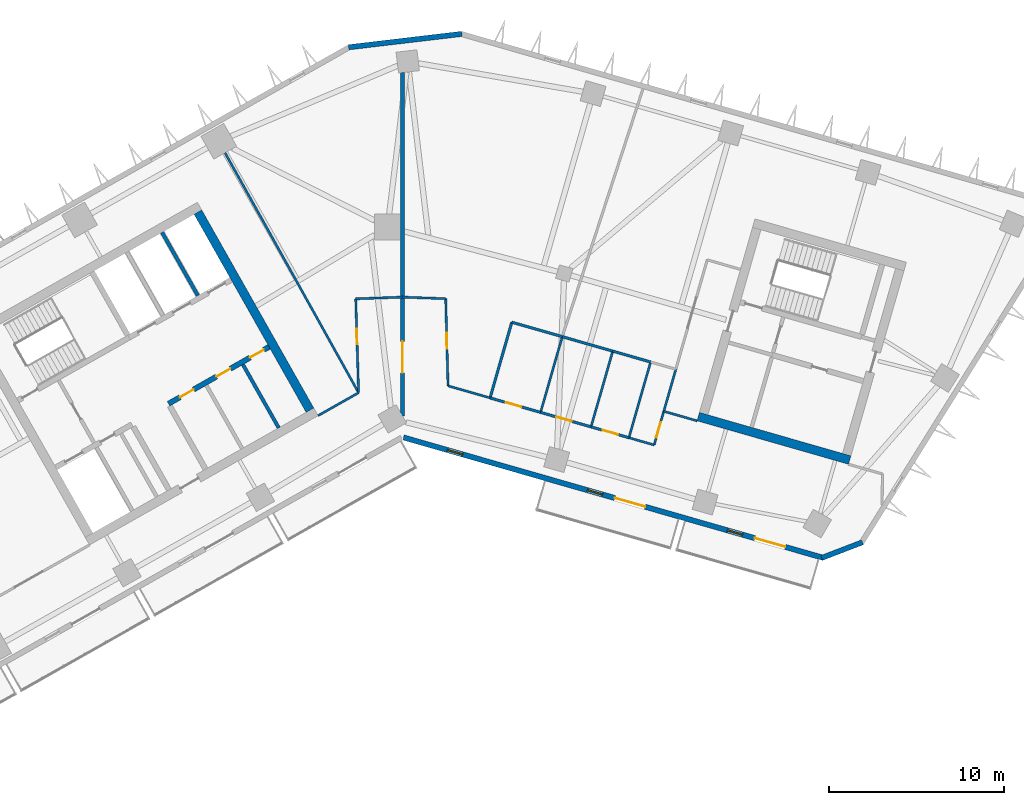
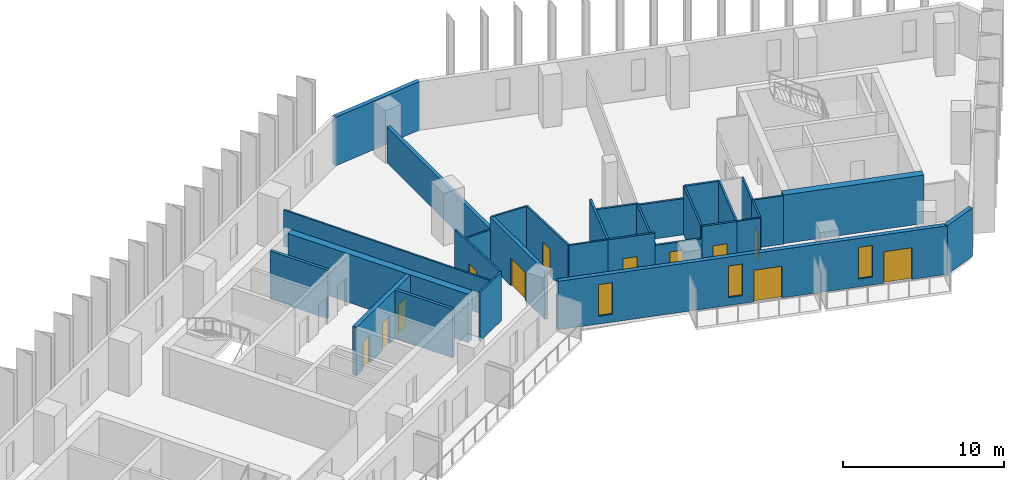
# One storey, part 5 of 10: 31 walls, 12 doors, 3 windows, 15 openings.
"""IFC4 building model written with IfcOpenShell, lengths in metres."""

from ifc_helpers import new_model, si_unit, direction, frame, frame_2d, origin, place, context, subcontext, project, spatial, rectangle, extrude, material, layer, layer_set, type_object, element, fill, save


model = new_model("IFC4")

# Units and contexts
model_context = context("Model", 3, precision=1e-05, world=origin(), true_north=direction((0.0, 1.0)))
body_context = subcontext(model_context, "Body", "Model", "MODEL_VIEW")
ifc_project = project(units=[si_unit("LENGTHUNIT", "METRE"), si_unit("AREAUNIT", "SQUARE_METRE"), si_unit("VOLUMEUNIT", "CUBIC_METRE"), si_unit("PLANEANGLEUNIT", "RADIAN"), si_unit("MASSUNIT", "GRAM", prefix="KILO")], contexts=[model_context])

# Site, building, storey
site_placement = place(None, origin())
site = spatial("IfcSite", under=ifc_project, at=site_placement, CompositionType="ELEMENT")
building_placement = place(site_placement, origin())
building = spatial("IfcBuilding", under=site, at=building_placement, Name="Binnacle Exchange Tower", CompositionType="ELEMENT")
storey_placement = place(building_placement, frame((0.0, 0.0, 194.89990234375)))
storey = spatial("IfcBuildingStorey", under=building, at=storey_placement, Name="L42", CompositionType="ELEMENT", Elevation=194.89990234375)

# Wall
ifc_material_1 = material(Name="Gypsum partition fire rated")
ifc_layer_1 = layer(ifc_material_1, 0.199951171875)
ifc_layer_set_1 = layer_set([ifc_layer_1], Name="Core partition 200")
wall_type_1 = type_object("IfcWallType", Name="Core partition 200", PredefinedType="PARTITIONING", material=ifc_layer_set_1)
wall_1_placement = place(storey_placement, frame((-9.11279296875, 52.14404296875, 0.0), z_axis=(0.0, 0.0, 1.0), x_axis=(0.492396453737, -0.870371031427, 0.0)))
element("IfcWall", 1, at=wall_1_placement, inside=storey, type_object=wall_type_1, Name="Core wall CRWC22", PredefinedType="PARTITIONING", context=body_context, shape_type="SweptSolid", body=[
    extrude(rectangle(XDim=4.14990234375, YDim=0.199951171875, at=frame_2d((2.074951171875, 0.0))), origin(), (0.0, 0.0, 1.0), 3.68017578125),
])

# Wall, openings, doors
ifc_material_2 = material(Name="Concrete C70/85", Category="concrete")
ifc_layer_2 = layer(ifc_material_2, 0.300048828125)
ifc_layer_set_2 = layer_set([ifc_layer_2], Name="Core wall - front 300")
wall_type_2 = type_object("IfcWallType", Name="Core wall - front 300", PredefinedType="SOLIDWALL", material=ifc_layer_set_2)
wall_2_placement = place(storey_placement, frame((-13.364501953125, 49.910888671875, 0.0), z_axis=(0.0, 0.0, 1.0), x_axis=(0.870356769198, 0.492421663121, 0.0)))
wall_2 = element("IfcWall", 2, at=wall_2_placement, inside=storey, type_object=wall_type_2, Name="Core wall CRWC3", PredefinedType="SOLIDWALL", context=body_context, shape_type="SweptSolid", body=[
    extrude(rectangle(XDim=6.60009765625, YDim=0.300048828125, at=frame_2d((3.300048828125, 0.0))), origin(), (0.0, 0.0, 1.0), 3.68017578125),
])
opening_1_placement = place(wall_2_placement, frame((0.75, 0.0, 0.0)))
opening_1 = element("IfcOpeningElement", 3, at=opening_1_placement, cuts=wall_2, Name="Opening DC18", PredefinedType="OPENING", context=body_context, shape_type="SweptSolid", body=[
    extrude(rectangle(XDim=0.89990234375, YDim=2.10009765625, at=frame_2d((0.449951171875, 1.050048828125))), frame((0.0, 0.159912109375, 0.0), z_axis=(0.0, -1.0, 0.0), x_axis=(1.0, 0.0, 0.0)), (0.0, 0.0, 1.0), 0.320068359375),
])
opening_2_placement = place(wall_2_placement, frame((3.14990234375, 0.0, 0.0)))
opening_2 = element("IfcOpeningElement", 4, at=opening_2_placement, cuts=wall_2, Name="Opening DC19", PredefinedType="OPENING", context=body_context, shape_type="SweptSolid", body=[
    extrude(rectangle(XDim=0.89990234375, YDim=2.10009765625, at=frame_2d((0.449951171875, 1.050048828125))), frame((0.0, 0.159912109375, 0.0), z_axis=(0.0, -1.0, 0.0), x_axis=(1.0, 0.0, 0.0)), (0.0, 0.0, 1.0), 0.320068359375),
])
opening_3_placement = place(wall_2_placement, frame((5.35009765625, 0.0, 0.0)))
opening_3 = element("IfcOpeningElement", 5, at=opening_3_placement, cuts=wall_2, Name="Opening DC20", PredefinedType="OPENING", context=body_context, shape_type="SweptSolid", body=[
    extrude(rectangle(XDim=0.89990234375, YDim=2.10009765625, at=frame_2d((0.449951171875, 1.050048828125))), frame((0.0, 0.159912109375, 0.0), z_axis=(0.0, -1.0, 0.0), x_axis=(1.0, 0.0, 0.0)), (0.0, 0.0, 1.0), 0.320068359375),
])
ifc_material_3 = material(Name="Steel door leaf", Category="steel")
door_type_1 = type_object("IfcDoorType", Name="Fire door 900", OperationType="NOTDEFINED", PredefinedType="DOOR", material=ifc_material_3)
door_1_placement = place(opening_1_placement, frame((0.89990234375, 0.0, 0.0), z_axis=(0.0, 0.0, 1.0), x_axis=(-1.0, 0.0, 0.0)))
door_1 = element("IfcDoor", 6, at=door_1_placement, inside=storey, type_object=door_type_1, Name="Core room door FIBRE ENTRY ROOM", OperationType="SINGLE_SWING_RIGHT", OverallHeight=2.10009765625, OverallWidth=0.89990234375, PredefinedType="DOOR", context=body_context, shape_type="SweptSolid", body=[
    extrude(rectangle(XDim=0.89990234375, YDim=2.10009765625, at=frame_2d((0.449951171875, 1.050048828125))), frame((0.0, 0.02490234375, 0.0), z_axis=(0.0, -1.0, 0.0), x_axis=(1.0, 0.0, 0.0)), (0.0, 0.0, 1.0), 0.050048828125),
])
fill(opening_1, door_1)
door_2_placement = place(opening_2_placement, frame((0.89990234375, 0.0, 0.0), z_axis=(0.0, 0.0, 1.0), x_axis=(-1.0, 0.0, 0.0)))
door_2 = element("IfcDoor", 7, at=door_2_placement, inside=storey, type_object=door_type_1, Name="Core room door ELECTRICAL ROOM", OperationType="SINGLE_SWING_LEFT", OverallHeight=2.10009765625, OverallWidth=0.89990234375, PredefinedType="DOOR", context=body_context, shape_type="SweptSolid", body=[
    extrude(rectangle(XDim=0.89990234375, YDim=2.10009765625, at=frame_2d((0.449951171875, 1.050048828125))), frame((0.0, 0.02490234375, 0.0), z_axis=(0.0, -1.0, 0.0), x_axis=(1.0, 0.0, 0.0)), (0.0, 0.0, 1.0), 0.050048828125),
])
fill(opening_2, door_2)
door_3_placement = place(opening_3_placement, frame((0.89990234375, 0.0, 0.0), z_axis=(0.0, 0.0, 1.0), x_axis=(-1.0, 0.0, 0.0)))
door_3 = element("IfcDoor", 8, at=door_3_placement, inside=storey, type_object=door_type_1, Name="Core room door COMMS RISER ROOM", OperationType="SINGLE_SWING_LEFT", OverallHeight=2.10009765625, OverallWidth=0.89990234375, PredefinedType="DOOR", context=body_context, shape_type="SweptSolid", body=[
    extrude(rectangle(XDim=0.89990234375, YDim=2.10009765625, at=frame_2d((0.449951171875, 1.050048828125))), frame((0.0, 0.02490234375, 0.0), z_axis=(0.0, -1.0, 0.0), x_axis=(1.0, 0.0, 0.0)), (0.0, 0.0, 1.0), 0.050048828125),
])
fill(opening_3, door_3)

# Walls
ifc_layer_3 = layer(ifc_material_2, 0.5)
ifc_layer_set_3 = layer_set([ifc_layer_3], Name="Core wall - outer 500")
wall_type_3 = type_object("IfcWallType", Name="Core wall - outer 500", PredefinedType="SOLIDWALL", material=ifc_layer_set_3)
wall_3_placement = place(storey_placement, frame((-11.686767578125, 60.856201171875, 0.0), z_axis=(0.0, 0.0, 1.0), x_axis=(0.492427267353, -0.870353598469, 0.0)))
element("IfcWall", 9, at=wall_3_placement, inside=storey, type_object=wall_type_3, Name="Core wall CRWC24", PredefinedType="SOLIDWALL", context=body_context, shape_type="SweptSolid", body=[
    extrude(rectangle(XDim=13.0, YDim=0.5, at=frame_2d((6.5, 0.0))), origin(), (0.0, 0.0, 1.0), 3.68017578125),
])
wall_4_placement = place(storey_placement, frame((16.896728515625, 49.173095703125, 0.0), z_axis=(0.0, 0.0, 1.0), x_axis=(0.96126248289, -0.275634611374, 0.0)))
element("IfcWall", 10, at=wall_4_placement, inside=storey, type_object=wall_type_3, Name="Core wall CRWD1", PredefinedType="SOLIDWALL", context=body_context, shape_type="SweptSolid", body=[
    extrude(rectangle(XDim=9.0, YDim=0.5, at=frame_2d((4.5, 0.0))), origin(), (0.0, 0.0, 1.0), 3.68017578125),
])

# Wall, openings, doors, windows
ifc_material_4 = material(Name="Bronze aluminium cladding", Category="aluminium")
ifc_layer_4 = layer(ifc_material_4, 0.300048828125)
ifc_layer_set_4 = layer_set([ifc_layer_4], Name="External wall - spandrel 300")
wall_type_4 = type_object("IfcWallType", Name="External wall - spandrel 300", PredefinedType="STANDARD", material=ifc_layer_set_4)
wall_5_placement = place(storey_placement, frame((24.04248046875, 41.10595703125, 0.0), z_axis=(0.0, 0.0, 1.0), x_axis=(-0.961261693976, 0.275637362661, 0.0)))
wall_5 = element("IfcWall", 11, at=wall_5_placement, inside=storey, type_object=wall_type_4, Name="External wall EW-G02 L42", PredefinedType="STANDARD", context=body_context, shape_type="SweptSolid", body=[
    extrude(rectangle(XDim=24.948486328125, YDim=0.300048828125, at=frame_2d((12.47412109375, 0.0))), origin(), (0.0, 0.0, 1.0), 3.68017578125),
])
opening_4_placement = place(wall_5_placement, frame((21.441162109375, 0.0, 0.60009765625)))
opening_4 = element("IfcOpeningElement", 12, at=opening_4_placement, cuts=wall_5, Name="Opening WS3", PredefinedType="OPENING", context=body_context, shape_type="SweptSolid", body=[
    extrude(rectangle(XDim=0.89990234375, YDim=2.39990234375, at=frame_2d((0.449951171875, 1.199951171875))), frame((0.0, 0.159912109375, 0.0), z_axis=(0.0, -1.0, 0.0), x_axis=(1.0, 0.0, 0.0)), (0.0, 0.0, 1.0), 0.320068359375),
])
opening_5_placement = place(wall_5_placement, frame((13.120849609375, 0.0, 0.60009765625)))
opening_5 = element("IfcOpeningElement", 13, at=opening_5_placement, cuts=wall_5, Name="Opening WS3", PredefinedType="OPENING", context=body_context, shape_type="SweptSolid", body=[
    extrude(rectangle(XDim=0.89990234375, YDim=2.39990234375, at=frame_2d((0.449951171875, 1.199951171875))), frame((0.0, 0.159912109375, 0.0), z_axis=(0.0, -1.0, 0.0), x_axis=(1.0, 0.0, 0.0)), (0.0, 0.0, 1.0), 0.320068359375),
])
opening_6_placement = place(wall_5_placement, frame((10.5908203125, 0.0, 0.0)))
opening_6 = element("IfcOpeningElement", 14, at=opening_6_placement, cuts=wall_5, Name="Opening D-FS11-06", PredefinedType="OPENING", context=body_context, shape_type="SweptSolid", body=[
    extrude(rectangle(XDim=1.800048828125, YDim=2.39990234375, at=frame_2d((0.89990234375, 1.199951171875))), frame((0.0, 0.159912109375, 0.0), z_axis=(0.0, -1.0, 0.0), x_axis=(1.0, 0.0, 0.0)), (0.0, 0.0, 1.0), 0.320068359375),
])
opening_7_placement = place(wall_5_placement, frame((4.80029296875, 0.0, 0.60009765625)))
opening_7 = element("IfcOpeningElement", 15, at=opening_7_placement, cuts=wall_5, Name="Opening WS3", PredefinedType="OPENING", context=body_context, shape_type="SweptSolid", body=[
    extrude(rectangle(XDim=0.89990234375, YDim=2.39990234375, at=frame_2d((0.449951171875, 1.199951171875))), frame((0.0, 0.159912109375, 0.0), z_axis=(0.0, -1.0, 0.0), x_axis=(1.0, 0.0, 0.0)), (0.0, 0.0, 1.0), 0.320068359375),
])
opening_8_placement = place(wall_5_placement, frame((2.270263671875, 0.0, 0.0)))
opening_8 = element("IfcOpeningElement", 16, at=opening_8_placement, cuts=wall_5, Name="Opening D-FS11-07", PredefinedType="OPENING", context=body_context, shape_type="SweptSolid", body=[
    extrude(rectangle(XDim=1.800048828125, YDim=2.39990234375, at=frame_2d((0.89990234375, 1.199951171875))), frame((0.0, 0.159912109375, 0.0), z_axis=(0.0, -1.0, 0.0), x_axis=(1.0, 0.0, 0.0)), (0.0, 0.0, 1.0), 0.320068359375),
])
ifc_material_5 = material(Name="Bronze anodised aluminium frame", Category="aluminium")
door_type_2 = type_object("IfcDoorType", Name="DB DOOR 1800x2400", OperationType="DOUBLE_DOOR_SINGLE_SWING", PredefinedType="DOOR", material=ifc_material_5)
door_4_placement = place(opening_6_placement, origin())
door_4 = element("IfcDoor", 17, at=door_4_placement, inside=storey, type_object=door_type_2, Name="Door D-FS11-06 L42", OperationType="DOUBLE_DOOR_SINGLE_SWING", OverallHeight=2.39990234375, OverallWidth=1.800048828125, PredefinedType="DOOR", context=body_context, shape_type="SweptSolid", body=[
    extrude(rectangle(XDim=1.800048828125, YDim=2.39990234375, at=frame_2d((0.89990234375, 1.199951171875))), frame((0.0, 0.02490234375, 0.0), z_axis=(0.0, -1.0, 0.0), x_axis=(1.0, 0.0, 0.0)), (0.0, 0.0, 1.0), 0.050048828125),
])
fill(opening_6, door_4)
door_5_placement = place(opening_8_placement, origin())
door_5 = element("IfcDoor", 18, at=door_5_placement, inside=storey, type_object=door_type_2, Name="Door D-FS11-07 L42", OperationType="DOUBLE_DOOR_SINGLE_SWING", OverallHeight=2.39990234375, OverallWidth=1.800048828125, PredefinedType="DOOR", context=body_context, shape_type="SweptSolid", body=[
    extrude(rectangle(XDim=1.800048828125, YDim=2.39990234375, at=frame_2d((0.89990234375, 1.199951171875))), frame((0.0, 0.02490234375, 0.0), z_axis=(0.0, -1.0, 0.0), x_axis=(1.0, 0.0, 0.0)), (0.0, 0.0, 1.0), 0.050048828125),
])
fill(opening_8, door_5)
window_type = type_object("IfcWindowType", Name="WS3 WINDOW 900x2400", PartitioningType="SINGLE_PANEL", PredefinedType="WINDOW", material=ifc_material_5)
window_1_placement = place(opening_4_placement, origin())
window_1 = element("IfcWindow", 19, at=window_1_placement, inside=storey, type_object=window_type, Name="Window WS3 L42", OverallHeight=2.39990234375, OverallWidth=0.89990234375, PartitioningType="SINGLE_PANEL", PredefinedType="WINDOW", context=body_context, shape_type="SweptSolid", body=[
    extrude(rectangle(XDim=0.89990234375, YDim=2.39990234375, at=frame_2d((0.449951171875, 1.199951171875))), frame((0.0, 0.030029296875, 0.0), z_axis=(0.0, -1.0, 0.0), x_axis=(1.0, 0.0, 0.0)), (0.0, 0.0, 1.0), 0.06005859375),
])
fill(opening_4, window_1)
window_2_placement = place(opening_5_placement, origin())
window_2 = element("IfcWindow", 20, at=window_2_placement, inside=storey, type_object=window_type, Name="Window WS3 L42", OverallHeight=2.39990234375, OverallWidth=0.89990234375, PartitioningType="SINGLE_PANEL", PredefinedType="WINDOW", context=body_context, shape_type="SweptSolid", body=[
    extrude(rectangle(XDim=0.89990234375, YDim=2.39990234375, at=frame_2d((0.449951171875, 1.199951171875))), frame((0.0, 0.030029296875, 0.0), z_axis=(0.0, -1.0, 0.0), x_axis=(1.0, 0.0, 0.0)), (0.0, 0.0, 1.0), 0.06005859375),
])
fill(opening_5, window_2)
window_3_placement = place(opening_7_placement, origin())
window_3 = element("IfcWindow", 21, at=window_3_placement, inside=storey, type_object=window_type, Name="Window WS3 L42", OverallHeight=2.39990234375, OverallWidth=0.89990234375, PartitioningType="SINGLE_PANEL", PredefinedType="WINDOW", context=body_context, shape_type="SweptSolid", body=[
    extrude(rectangle(XDim=0.89990234375, YDim=2.39990234375, at=frame_2d((0.449951171875, 1.199951171875))), frame((0.0, 0.030029296875, 0.0), z_axis=(0.0, -1.0, 0.0), x_axis=(1.0, 0.0, 0.0)), (0.0, 0.0, 1.0), 0.06005859375),
])
fill(opening_7, window_3)

# Walls
wall_6_placement = place(storey_placement, frame((26.27783203125, 41.996337890625, 0.0), z_axis=(0.0, 0.0, 1.0), x_axis=(-0.933592404159, -0.358336745112, 0.0)))
element("IfcWall", 22, at=wall_6_placement, inside=storey, type_object=wall_type_4, Name="External wall EW-G03 L42", PredefinedType="STANDARD", context=body_context, shape_type="SweptSolid", body=[
    extrude(rectangle(XDim=2.496337890625, YDim=0.300048828125, at=frame_2d((1.248046875, 0.0))), origin(), (0.0, 0.0, 1.0), 3.68017578125),
])
wall_7_placement = place(storey_placement, frame((-3.076171875, 70.27294921875, 0.0), z_axis=(0.0, 0.0, 1.0), x_axis=(0.993067743007, 0.117543429416, 0.0)))
element("IfcWall", 23, at=wall_7_placement, inside=storey, type_object=wall_type_4, Name="External wall EW-G07 L42", PredefinedType="STANDARD", context=body_context, shape_type="SweptSolid", body=[
    extrude(rectangle(XDim=6.515625, YDim=0.300048828125, at=frame_2d((3.2578125, 0.0))), origin(), (0.0, 0.0, 1.0), 3.68017578125),
])

# Wall, opening, door
ifc_material_6 = material(Name="Concrete fire wall C30/37", Category="concrete")
ifc_layer_5 = layer(ifc_material_6, 0.25)
ifc_layer_set_5 = layer_set([ifc_layer_5], Name="Fire wall - compartment 250")
wall_type_5 = type_object("IfcWallType", Name="Fire wall - compartment 250", PredefinedType="PARTITIONING", material=ifc_layer_set_5)
wall_8_placement = place(storey_placement, frame((0.0, 49.218994140625, 0.0), z_axis=(0.0, 0.0, 1.0), x_axis=(0.0, 1.0, 0.0)))
wall_8 = element("IfcWall", 24, at=wall_8_placement, inside=storey, type_object=wall_type_5, Name="Fire Wall W08", PredefinedType="PARTITIONING", context=body_context, shape_type="SweptSolid", body=[
    extrude(rectangle(XDim=6.781005859375, YDim=0.25, at=frame_2d((3.390625, 0.0))), origin(), (0.0, 0.0, 1.0), 3.68017578125),
])
opening_9_placement = place(wall_8_placement, frame((2.449951171875, 0.0, 0.0)))
opening_9 = element("IfcOpeningElement", 25, at=opening_9_placement, cuts=wall_8, Name="Opening DL41-09", PredefinedType="OPENING", context=body_context, shape_type="SweptSolid", body=[
    extrude(rectangle(XDim=1.800048828125, YDim=2.10009765625, at=frame_2d((0.89990234375, 1.050048828125))), frame((0.0, 0.135009765625, 0.0), z_axis=(0.0, -1.0, 0.0), x_axis=(1.0, 0.0, 0.0)), (0.0, 0.0, 1.0), 0.27001953125),
])
door_type_3 = type_object("IfcDoorType", Name="Fire door 1800", OperationType="NOTDEFINED", PredefinedType="DOOR", material=ifc_material_3)
door_6_placement = place(opening_9_placement, origin())
door_6 = element("IfcDoor", 26, at=door_6_placement, inside=storey, type_object=door_type_3, Name="Door DL41-09", OperationType="DOUBLE_DOOR_SINGLE_SWING", OverallHeight=2.10009765625, OverallWidth=1.800048828125, PredefinedType="DOOR", context=body_context, shape_type="SweptSolid", body=[
    extrude(rectangle(XDim=1.800048828125, YDim=2.10009765625, at=frame_2d((0.89990234375, 1.050048828125))), frame((0.0, 0.02490234375, 0.0), z_axis=(0.0, -1.0, 0.0), x_axis=(1.0, 0.0, 0.0)), (0.0, 0.0, 1.0), 0.050048828125),
])
fill(opening_9, door_6)

# Walls
wall_9_placement = place(storey_placement, frame((0.0, 56.0, 0.0), z_axis=(0.0, 0.0, 1.0), x_axis=(0.0, 1.0, 0.0)))
element("IfcWall", 27, at=wall_9_placement, inside=storey, type_object=wall_type_5, Name="Fire Wall W09", PredefinedType="PARTITIONING", context=body_context, shape_type="SweptSolid", body=[
    extrude(rectangle(XDim=12.823974609375, YDim=0.25, at=frame_2d((6.412109375, 0.0))), origin(), (0.0, 0.0, 1.0), 2.748046875),
])
ifc_layer_6 = layer(ifc_material_1, 0.14990234375)
ifc_layer_set_6 = layer_set([ifc_layer_6], Name="Fire-rated partition 150")
wall_type_6 = type_object("IfcWallType", Name="Fire-rated partition 150", PredefinedType="PARTITIONING", material=ifc_layer_set_6)
wall_10_placement = place(storey_placement, frame((5.00390625, 50.242919921875, 0.0), z_axis=(0.0, 0.0, 1.0), x_axis=(0.275838825927, 0.961203902464, 0.0)))
element("IfcWall", 28, at=wall_10_placement, inside=storey, type_object=wall_type_6, Name="Partition W13", PredefinedType="PARTITIONING", context=body_context, shape_type="SweptSolid", body=[
    extrude(rectangle(XDim=4.499755859375, YDim=0.14990234375, at=frame_2d((2.25, 0.0))), origin(), (0.0, 0.0, 1.0), 3.68017578125),
])

# Wall, opening, door
wall_11_placement = place(storey_placement, frame((5.00390625, 50.242919921875, 0.0), z_axis=(0.0, 0.0, 1.0), x_axis=(0.961268664977, -0.27561305073, 0.0)))
wall_11 = element("IfcWall", 29, at=wall_11_placement, inside=storey, type_object=wall_type_6, Name="Partition W14", PredefinedType="PARTITIONING", context=body_context, shape_type="SweptSolid", body=[
    extrude(rectangle(XDim=3.000244140625, YDim=0.14990234375, at=frame_2d((1.5, 0.0))), origin(), (0.0, 0.0, 1.0), 3.68017578125),
])
opening_10_placement = place(wall_11_placement, frame((0.949951171875, 0.0, 0.0)))
opening_10 = element("IfcOpeningElement", 30, at=opening_10_placement, cuts=wall_11, Name="Opening DL41-03", PredefinedType="OPENING", context=body_context, shape_type="SweptSolid", body=[
    extrude(rectangle(XDim=0.89990234375, YDim=2.10009765625, at=frame_2d((0.449951171875, 1.050048828125))), frame((0.0, 0.0849609375, 0.0), z_axis=(0.0, -1.0, 0.0), x_axis=(1.0, 0.0, 0.0)), (0.0, 0.0, 1.0), 0.169921875),
])
door_7_placement = place(opening_10_placement, origin())
door_7 = element("IfcDoor", 31, at=door_7_placement, inside=storey, type_object=door_type_1, Name="Door DL41-03", OperationType="SINGLE_SWING_LEFT", OverallHeight=2.10009765625, OverallWidth=0.89990234375, PredefinedType="DOOR", context=body_context, shape_type="SweptSolid", body=[
    extrude(rectangle(XDim=0.89990234375, YDim=2.10009765625, at=frame_2d((0.449951171875, 1.050048828125))), frame((0.0, 0.02490234375, 0.0), z_axis=(0.0, -1.0, 0.0), x_axis=(1.0, 0.0, 0.0)), (0.0, 0.0, 1.0), 0.050048828125),
])
fill(opening_10, door_7)

# Wall
wall_12_placement = place(storey_placement, frame((6.2451171875, 54.568115234375, 0.0), z_axis=(0.0, 0.0, 1.0), x_axis=(0.961240918172, -0.275709806194, 0.0)))
element("IfcWall", 32, at=wall_12_placement, inside=storey, type_object=wall_type_6, Name="Partition W15", PredefinedType="PARTITIONING", context=body_context, shape_type="SweptSolid", body=[
    extrude(rectangle(XDim=3.0, YDim=0.14990234375, at=frame_2d((1.5, 0.0))), origin(), (0.0, 0.0, 1.0), 2.85205078125),
])

# Wall, opening, door
wall_13_placement = place(storey_placement, frame((7.887939453125, 49.416015625, 0.0), z_axis=(0.0, 0.0, 1.0), x_axis=(0.961268664977, -0.27561305073, 0.0)))
wall_13 = element("IfcWall", 33, at=wall_13_placement, inside=storey, type_object=wall_type_6, Name="Partition W17", PredefinedType="PARTITIONING", context=body_context, shape_type="SweptSolid", body=[
    extrude(rectangle(XDim=3.000244140625, YDim=0.14990234375, at=frame_2d((1.5, 0.0))), origin(), (0.0, 0.0, 1.0), 2.748046875),
])
opening_11_placement = place(wall_13_placement, frame((0.949951171875, 0.0, 0.0)))
opening_11 = element("IfcOpeningElement", 34, at=opening_11_placement, cuts=wall_13, Name="Opening DL41-04", PredefinedType="OPENING", context=body_context, shape_type="SweptSolid", body=[
    extrude(rectangle(XDim=0.89990234375, YDim=2.10009765625, at=frame_2d((0.449951171875, 1.050048828125))), frame((0.0, 0.0849609375, 0.0), z_axis=(0.0, -1.0, 0.0), x_axis=(1.0, 0.0, 0.0)), (0.0, 0.0, 1.0), 0.169921875),
])
door_8_placement = place(opening_11_placement, origin())
door_8 = element("IfcDoor", 35, at=door_8_placement, inside=storey, type_object=door_type_1, Name="Door DL41-04", OperationType="SINGLE_SWING_LEFT", OverallHeight=2.10009765625, OverallWidth=0.89990234375, PredefinedType="DOOR", context=body_context, shape_type="SweptSolid", body=[
    extrude(rectangle(XDim=0.89990234375, YDim=2.10009765625, at=frame_2d((0.449951171875, 1.050048828125))), frame((0.0, 0.02490234375, 0.0), z_axis=(0.0, -1.0, 0.0), x_axis=(1.0, 0.0, 0.0)), (0.0, 0.0, 1.0), 0.050048828125),
])
fill(opening_11, door_8)

# Wall
wall_14_placement = place(storey_placement, frame((9.12890625, 53.740966796875, 0.0), z_axis=(0.0, 0.0, 1.0), x_axis=(0.961243927922, -0.275699312717, 0.0)))
element("IfcWall", 36, at=wall_14_placement, inside=storey, type_object=wall_type_6, Name="Partition W18", PredefinedType="PARTITIONING", context=body_context, shape_type="SweptSolid", body=[
    extrude(rectangle(XDim=2.999267578125, YDim=0.14990234375, at=frame_2d((1.49951171875, 0.0))), origin(), (0.0, 0.0, 1.0), 2.748046875),
])

# Wall, opening, door
wall_15_placement = place(storey_placement, frame((10.77197265625, 48.589111328125, 0.0), z_axis=(0.0, 0.0, 1.0), x_axis=(0.96127791106, -0.275580800688, 0.0)))
wall_15 = element("IfcWall", 37, at=wall_15_placement, inside=storey, type_object=wall_type_6, Name="Partition W21", PredefinedType="PARTITIONING", context=body_context, shape_type="SweptSolid", body=[
    extrude(rectangle(XDim=2.250244140625, YDim=0.14990234375, at=frame_2d((1.125, 0.0))), origin(), (0.0, 0.0, 1.0), 3.68017578125),
])
opening_12_placement = place(wall_15_placement, frame((0.699951171875, 0.0, 0.0)))
opening_12 = element("IfcOpeningElement", 38, at=opening_12_placement, cuts=wall_15, Name="Opening DL41-05", PredefinedType="OPENING", context=body_context, shape_type="SweptSolid", body=[
    extrude(rectangle(XDim=0.89990234375, YDim=2.10009765625, at=frame_2d((0.449951171875, 1.050048828125))), frame((0.0, 0.0849609375, 0.0), z_axis=(0.0, -1.0, 0.0), x_axis=(1.0, 0.0, 0.0)), (0.0, 0.0, 1.0), 0.169921875),
])
door_9_placement = place(opening_12_placement, origin())
door_9 = element("IfcDoor", 39, at=door_9_placement, inside=storey, type_object=door_type_1, Name="Door DL41-05", OperationType="SINGLE_SWING_RIGHT", OverallHeight=2.10009765625, OverallWidth=0.89990234375, PredefinedType="DOOR", context=body_context, shape_type="SweptSolid", body=[
    extrude(rectangle(XDim=0.89990234375, YDim=2.10009765625, at=frame_2d((0.449951171875, 1.050048828125))), frame((0.0, 0.02490234375, 0.0), z_axis=(0.0, -1.0, 0.0), x_axis=(1.0, 0.0, 0.0)), (0.0, 0.0, 1.0), 0.050048828125),
])
fill(opening_12, door_9)

# Walls
wall_16_placement = place(storey_placement, frame((12.011962890625, 52.9140625, 0.0), z_axis=(0.0, 0.0, 1.0), x_axis=(0.96127791106, -0.275580800688, 0.0)))
element("IfcWall", 40, at=wall_16_placement, inside=storey, type_object=wall_type_6, Name="Partition W22", PredefinedType="PARTITIONING", context=body_context, shape_type="SweptSolid", body=[
    extrude(rectangle(XDim=2.250244140625, YDim=0.14990234375, at=frame_2d((1.125, 0.0))), origin(), (0.0, 0.0, 1.0), 3.68017578125),
])
ifc_material_7 = material(Name="Gypsum partition")
ifc_layer_7 = layer(ifc_material_7, 0.125)
ifc_layer_set_7 = layer_set([ifc_layer_7], Name="Partition 125")
wall_type_7 = type_object("IfcWallType", Name="Partition 125", PredefinedType="PARTITIONING", material=ifc_layer_set_7)
wall_17_placement = place(storey_placement, frame((-10.136962890625, 64.242919921875, 0.0), z_axis=(0.0, 0.0, 1.0), x_axis=(0.486452862603, -0.873706822948, 0.0)))
element("IfcWall", 41, at=wall_17_placement, inside=storey, type_object=wall_type_7, Name="Partition W04", PredefinedType="PARTITIONING", context=body_context, shape_type="SweptSolid", body=[
    extrude(rectangle(XDim=15.684814453125, YDim=0.125, at=frame_2d((7.84228515625, 0.0))), origin(), (0.0, 0.0, 1.0), 2.748046875),
])
wall_18_placement = place(storey_placement, frame((-4.821044921875, 49.22998046875, 0.0), z_axis=(0.0, 0.0, 1.0), x_axis=(0.870371217631, 0.492396124598, 0.0)))
element("IfcWall", 42, at=wall_18_placement, inside=storey, type_object=wall_type_7, Name="Partition W05", PredefinedType="PARTITIONING", context=body_context, shape_type="SweptSolid", body=[
    extrude(rectangle(XDim=2.65869140625, YDim=0.125, at=frame_2d((1.329345703125, 0.0))), origin(), (0.0, 0.0, 1.0), 3.68017578125),
])

# Wall, opening, door
wall_19_placement = place(storey_placement, frame((-2.669921875, 55.904052734375, 0.0), z_axis=(0.0, 0.0, 1.0), x_axis=(0.030338701418, -0.999539675649, 0.0)))
wall_19 = element("IfcWall", 43, at=wall_19_placement, inside=storey, type_object=wall_type_7, Name="Partition W06", PredefinedType="PARTITIONING", context=body_context, shape_type="SweptSolid", body=[
    extrude(rectangle(XDim=5.367431640625, YDim=0.125, at=frame_2d((2.68359375, 0.0))), origin(), (0.0, 0.0, 1.0), 3.68017578125),
])
opening_13_placement = place(wall_19_placement, frame((1.699951171875, 0.0, 0.0)))
opening_13 = element("IfcOpeningElement", 44, at=opening_13_placement, cuts=wall_19, Name="Opening DL41-02", PredefinedType="OPENING", context=body_context, shape_type="SweptSolid", body=[
    extrude(rectangle(XDim=0.89990234375, YDim=2.10009765625, at=frame_2d((0.449951171875, 1.050048828125))), frame((0.0, 0.072509765625, 0.0), z_axis=(0.0, -1.0, 0.0), x_axis=(1.0, 0.0, 0.0)), (0.0, 0.0, 1.0), 0.14501953125),
])
ifc_material_8 = material(Name="Timber door leaf", Category="wood")
door_type_4 = type_object("IfcDoorType", Name="Door 900", OperationType="NOTDEFINED", PredefinedType="DOOR", material=ifc_material_8)
door_10_placement = place(opening_13_placement, frame((0.89990234375, 0.0, 0.0), z_axis=(0.0, 0.0, 1.0), x_axis=(-1.0, 0.0, 0.0)))
door_10 = element("IfcDoor", 45, at=door_10_placement, inside=storey, type_object=door_type_4, Name="Door DL41-02", OperationType="SINGLE_SWING_RIGHT", OverallHeight=2.10009765625, OverallWidth=0.89990234375, PredefinedType="DOOR", context=body_context, shape_type="SweptSolid", body=[
    extrude(rectangle(XDim=0.89990234375, YDim=2.10009765625, at=frame_2d((0.449951171875, 1.050048828125))), frame((0.0, 0.02490234375, 0.0), z_axis=(0.0, -1.0, 0.0), x_axis=(1.0, 0.0, 0.0)), (0.0, 0.0, 1.0), 0.050048828125),
])
fill(opening_13, door_10)

# Walls
wall_20_placement = place(storey_placement, frame((-2.669921875, 55.904052734375, 0.0), z_axis=(0.0, 0.0, 1.0), x_axis=(0.999354913865, 0.03591317494, 0.0)))
element("IfcWall", 46, at=wall_20_placement, inside=storey, type_object=wall_type_7, Name="Partition W07", PredefinedType="PARTITIONING", context=body_context, shape_type="SweptSolid", body=[
    extrude(rectangle(XDim=2.671630859375, YDim=0.125, at=frame_2d((1.3359375, 0.0))), origin(), (0.0, 0.0, 1.0), 2.748046875),
])
wall_21_placement = place(storey_placement, frame((0.0, 56.0, 0.0), z_axis=(0.0, 0.0, 1.0), x_axis=(0.999349313684, -0.036068673934, 0.0)))
element("IfcWall", 47, at=wall_21_placement, inside=storey, type_object=wall_type_7, Name="Partition W10", PredefinedType="PARTITIONING", context=body_context, shape_type="SweptSolid", body=[
    extrude(rectangle(XDim=2.470703125, YDim=0.125, at=frame_2d((1.2353515625, 0.0))), origin(), (0.0, 0.0, 1.0), 3.68017578125),
])

# Wall, opening, door
wall_22_placement = place(storey_placement, frame((2.468994140625, 55.910888671875, 0.0), z_axis=(0.0, 0.0, 1.0), x_axis=(0.02651808123, -0.999648333849, 0.0)))
wall_22 = element("IfcWall", 48, at=wall_22_placement, inside=storey, type_object=wall_type_7, Name="Partition W11", PredefinedType="PARTITIONING", context=body_context, shape_type="SweptSolid", body=[
    extrude(rectangle(XDim=4.980712890625, YDim=0.125, at=frame_2d((2.490234375, 0.0))), origin(), (0.0, 0.0, 1.0), 3.68017578125),
])
opening_14_placement = place(wall_22_placement, frame((1.949951171875, 0.0, 0.0)))
opening_14 = element("IfcOpeningElement", 49, at=opening_14_placement, cuts=wall_22, Name="Opening DL41-07", PredefinedType="OPENING", context=body_context, shape_type="SweptSolid", body=[
    extrude(rectangle(XDim=0.89990234375, YDim=2.10009765625, at=frame_2d((0.449951171875, 1.050048828125))), frame((0.0, 0.072509765625, 0.0), z_axis=(0.0, -1.0, 0.0), x_axis=(1.0, 0.0, 0.0)), (0.0, 0.0, 1.0), 0.14501953125),
])
door_11_placement = place(opening_14_placement, origin())
door_11 = element("IfcDoor", 50, at=door_11_placement, inside=storey, type_object=door_type_4, Name="Door DL41-07", OperationType="SINGLE_SWING_LEFT", OverallHeight=2.10009765625, OverallWidth=0.89990234375, PredefinedType="DOOR", context=body_context, shape_type="SweptSolid", body=[
    extrude(rectangle(XDim=0.89990234375, YDim=2.10009765625, at=frame_2d((0.449951171875, 1.050048828125))), frame((0.0, 0.02490234375, 0.0), z_axis=(0.0, -1.0, 0.0), x_axis=(1.0, 0.0, 0.0)), (0.0, 0.0, 1.0), 0.050048828125),
])
fill(opening_14, door_11)

# Walls
wall_23_placement = place(storey_placement, frame((2.60107421875, 50.931884765625, 0.0), z_axis=(0.0, 0.0, 1.0), x_axis=(0.961265528111, -0.275623991092, 0.0)))
element("IfcWall", 51, at=wall_23_placement, inside=storey, type_object=wall_type_7, Name="Partition W12", PredefinedType="PARTITIONING", context=body_context, shape_type="SweptSolid", body=[
    extrude(rectangle(XDim=2.499755859375, YDim=0.125, at=frame_2d((1.25, 0.0))), origin(), (0.0, 0.0, 1.0), 3.68017578125),
])
wall_24_placement = place(storey_placement, frame((7.887939453125, 49.416015625, 0.0), z_axis=(0.0, 0.0, 1.0), x_axis=(0.275803080638, 0.96121415965, 0.0)))
element("IfcWall", 52, at=wall_24_placement, inside=storey, type_object=wall_type_7, Name="Partition W16", PredefinedType="PARTITIONING", context=body_context, shape_type="SweptSolid", body=[
    extrude(rectangle(XDim=4.49951171875, YDim=0.125, at=frame_2d((2.249755859375, 0.0))), origin(), (0.0, 0.0, 1.0), 2.85205078125),
])
for number, where, z_axis, x_axis, name in (
    (53, (10.77197265625, 48.589111328125, 0.0), (0.0, 0.0, 1.0), (0.275602532653, 0.961271680637, 0.0), "Partition W20"),
    (54, (12.93505859375, 47.968994140625, 0.0), (0.0, 0.0, 1.0), (0.275602532653, 0.961271680637, 0.0), "Partition W23"),
):
    element("IfcWall", number, at=place(storey_placement, frame(where, z_axis=z_axis, x_axis=x_axis)), inside=storey, type_object=wall_type_7, Name=name, PredefinedType="PARTITIONING", context=body_context, shape_type="SweptSolid", body=[
        extrude(rectangle(XDim=4.499267578125, YDim=0.125, at=frame_2d((2.24951171875, 0.0))), origin(), (0.0, 0.0, 1.0), 3.68017578125),
    ])
wall_25_placement = place(storey_placement, frame((12.93505859375, 47.968994140625, 0.0), z_axis=(0.0, 0.0, 1.0), x_axis=(0.961154610169, -0.276010534854, 0.0)))
element("IfcWall", 55, at=wall_25_placement, inside=storey, type_object=wall_type_7, Name="Partition W24", PredefinedType="PARTITIONING", context=body_context, shape_type="SweptSolid", body=[
    extrude(rectangle(XDim=1.500244140625, YDim=0.125, at=frame_2d((0.75, 0.0))), origin(), (0.0, 0.0, 1.0), 3.68017578125),
])

# Wall, opening, door
wall_26_placement = place(storey_placement, frame((14.376953125, 47.554931640625, 0.0), z_axis=(0.0, 0.0, 1.0), x_axis=(0.275446387355, 0.961316434736, 0.0)))
wall_26 = element("IfcWall", 56, at=wall_26_placement, inside=storey, type_object=wall_type_7, Name="Partition W26", PredefinedType="PARTITIONING", context=body_context, shape_type="SweptSolid", body=[
    extrude(rectangle(XDim=2.00048828125, YDim=0.125, at=frame_2d((1.000244140625, 0.0))), origin(), (0.0, 0.0, 1.0), 3.68017578125),
])
opening_15_placement = place(wall_26_placement, frame((0.449951171875, 0.0, 0.0)))
opening_15 = element("IfcOpeningElement", 57, at=opening_15_placement, cuts=wall_26, Name="Opening DL41-06", PredefinedType="OPENING", context=body_context, shape_type="SweptSolid", body=[
    extrude(rectangle(XDim=0.89990234375, YDim=2.10009765625, at=frame_2d((0.449951171875, 1.050048828125))), frame((0.0, 0.072509765625, 0.0), z_axis=(0.0, -1.0, 0.0), x_axis=(1.0, 0.0, 0.0)), (0.0, 0.0, 1.0), 0.14501953125),
])
door_12_placement = place(opening_15_placement, origin())
door_12 = element("IfcDoor", 58, at=door_12_placement, inside=storey, type_object=door_type_4, Name="Door DL41-06", OperationType="SINGLE_SWING_LEFT", OverallHeight=2.10009765625, OverallWidth=0.89990234375, PredefinedType="DOOR", context=body_context, shape_type="SweptSolid", body=[
    extrude(rectangle(XDim=0.89990234375, YDim=2.10009765625, at=frame_2d((0.449951171875, 1.050048828125))), frame((0.0, 0.02490234375, 0.0), z_axis=(0.0, -1.0, 0.0), x_axis=(1.0, 0.0, 0.0)), (0.0, 0.0, 1.0), 0.050048828125),
])
fill(opening_15, door_12)

# Walls
wall_27_placement = place(storey_placement, frame((14.927978515625, 49.47802734375, 0.0), z_axis=(0.0, 0.0, 1.0), x_axis=(0.275598116036, 0.961272946898, 0.0)))
element("IfcWall", 59, at=wall_27_placement, inside=storey, type_object=wall_type_7, Name="Partition W27", PredefinedType="PARTITIONING", context=body_context, shape_type="SweptSolid", body=[
    extrude(rectangle(XDim=2.5, YDim=0.125, at=frame_2d((1.25, 0.0))), origin(), (0.0, 0.0, 1.0), 3.68017578125),
])
wall_28_placement = place(storey_placement, frame((14.927978515625, 49.47802734375, 0.0), z_axis=(0.0, 0.0, 1.0), x_axis=(0.961243778232, -0.27569983462, 0.0)))
element("IfcWall", 60, at=wall_28_placement, inside=storey, type_object=wall_type_7, Name="Partition W28", PredefinedType="PARTITIONING", context=body_context, shape_type="SweptSolid", body=[
    extrude(rectangle(XDim=1.9765625, YDim=0.125, at=frame_2d((0.98828125, 0.0))), origin(), (0.0, 0.0, 1.0), 3.68017578125),
])
ifc_material_9 = material(Name="Masonry block wall", Category="masonry")
ifc_layer_8 = layer(ifc_material_9, 0.199951171875)
ifc_layer_set_8 = layer_set([ifc_layer_8], Name="Shaft wall 200")
wall_type_8 = type_object("IfcWallType", Name="Shaft wall 200", PredefinedType="SOLIDWALL", material=ifc_layer_set_8)
wall_29_placement = place(storey_placement, frame((-13.73193359375, 59.698974609375, 0.0), z_axis=(0.0, 0.0, 1.0), x_axis=(0.492396453737, -0.870371031427, 0.0)))
element("IfcWall", 61, at=wall_29_placement, inside=storey, type_object=wall_type_8, Name="Core wall CRWC21", PredefinedType="SOLIDWALL", context=body_context, shape_type="SweptSolid", body=[
    extrude(rectangle(XDim=4.14990234375, YDim=0.199951171875, at=frame_2d((2.074951171875, 0.0))), origin(), (0.0, 0.0, 1.0), 3.68017578125),
])

save(model, "model.ifc")
